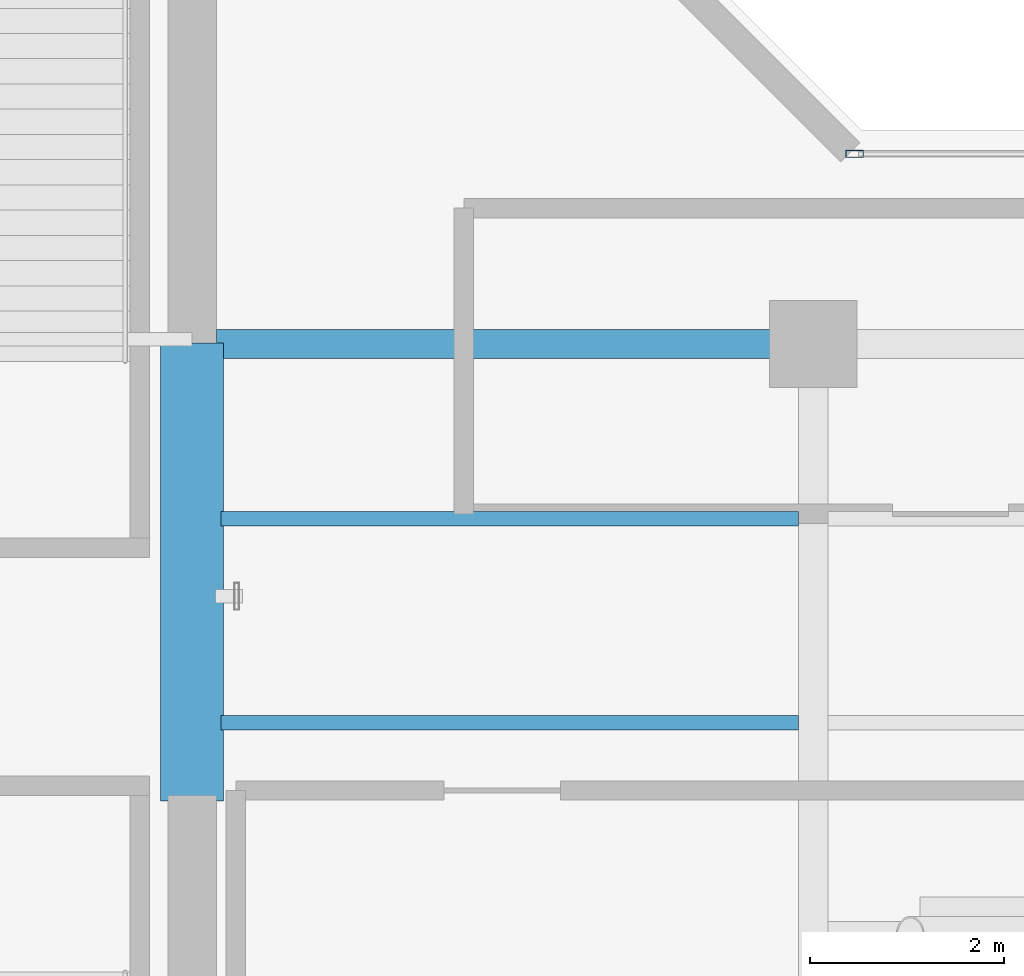
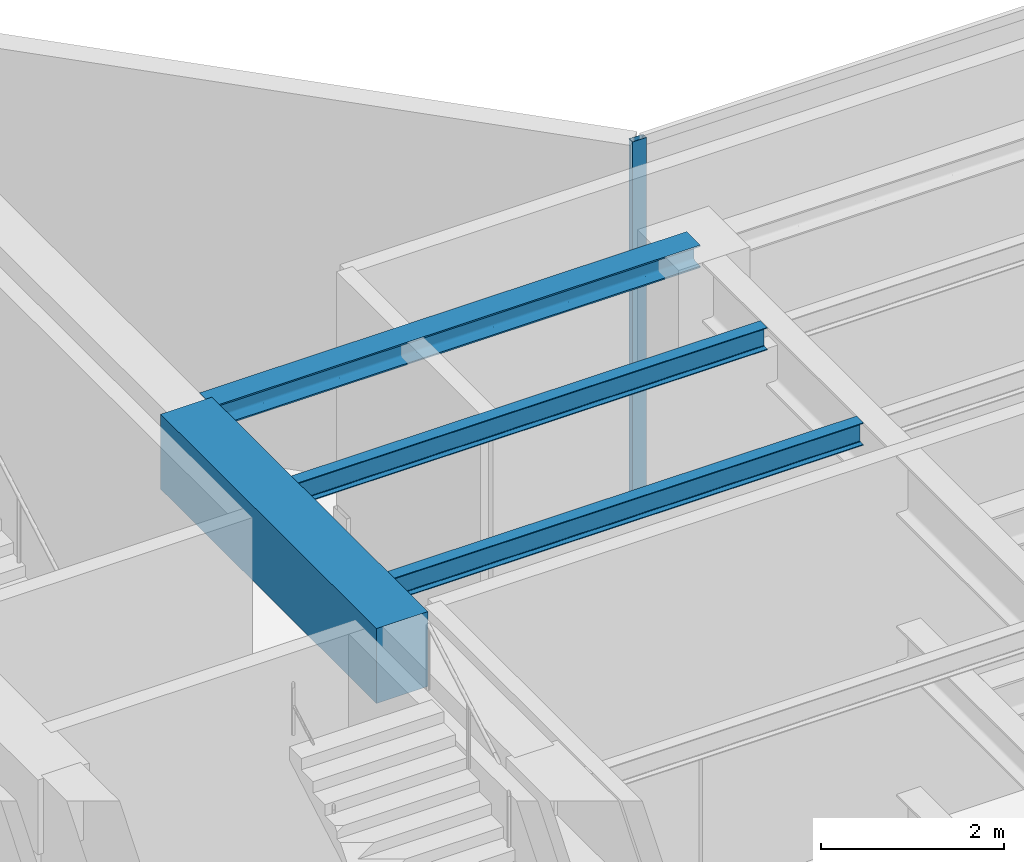
# One storey, part 8 of 29: 4 beams, 1 member, 1 element without a shape of its own.
"""IFC4 building model written with IfcOpenShell, lengths in metres."""

from ifc_helpers import new_model, si_unit, direction, frame, origin, origin_with_axes, origin_2d, place, context, subcontext, project, spatial, rectangle, hollow_rectangle, i_section, extrude, source, transform, mapped, material, layer, layer_set, material_profile, profile_set, type_object, element, aggregate, save


model = new_model("IFC4")

# Units and contexts
model_context = context("Model", 3, precision=1e-05, world=origin(), true_north=direction((0.0, 1.0)))
body_context = subcontext(model_context, "Body", "Model", "MODEL_VIEW")
ifc_project = project(units=[si_unit("LENGTHUNIT", "METRE"), si_unit("AREAUNIT", "SQUARE_METRE"), si_unit("VOLUMEUNIT", "CUBIC_METRE"), si_unit("PLANEANGLEUNIT", "RADIAN"), si_unit("MASSUNIT", "GRAM", prefix="KILO")], contexts=[model_context])

# Site, building, storey
site_placement = place(None, origin())
site = spatial("IfcSite", under=ifc_project, at=site_placement, CompositionType="ELEMENT")
building_placement = place(site_placement, origin())
building = spatial("IfcBuilding", under=site, at=building_placement, Name="Kolvaren Waterfront Exchange", CompositionType="ELEMENT")
storey_placement = place(building_placement, frame((0.0, 0.0, 338.800048828125)))
storey = spatial("IfcBuildingStorey", under=building, at=storey_placement, Name="L87", CompositionType="ELEMENT", Elevation=338.800048828125)

# Beams
ifc_material_1 = material(Name="Steel S355", Category="steel")
ifc_material_profile_1 = material_profile(ifc_material_1, i_section(OverallWidth=0.300048828125, OverallDepth=0.300048828125, WebThickness=0.010986328125, FlangeThickness=0.01904296875, FilletRadius=0.027099609375, at=origin_2d()), Name="HEB300")
ifc_profile_set_1 = profile_set([ifc_material_profile_1], Name="Steel S355")
beam_type_1 = type_object("IfcBeamType", Name="STR-BM-HEB300", PredefinedType="SPANDREL", material=ifc_profile_set_1)
beam_1_placement = place(storey_placement, frame((21.050048828125, 17.39990234375, 4.869873046875), z_axis=(1.0, 0.0, 0.0), x_axis=(0.0, 1.0, 0.0)))
element("IfcBeam", 1, at=beam_1_placement, inside=storey, type_object=beam_type_1, Name="L87 east-arm spandrel N1", PredefinedType="SPANDREL", context=body_context, shape_type="SweptSolid", body=[
    extrude(i_section(OverallWidth=0.300048828125, OverallDepth=0.300048828125, WebThickness=0.010986328125, FlangeThickness=0.01904296875, FilletRadius=0.027099609375, at=origin_2d()), origin(), (0.0, 0.0, 1.0), 6.14990234375),
])
ifc_material_profile_2 = material_profile(ifc_material_1, i_section(OverallWidth=0.14990234375, OverallDepth=0.300048828125, WebThickness=0.007080078125, FlangeThickness=0.0107421875, FilletRadius=0.014892578125, at=origin_2d()), Name="IPE300")
ifc_profile_set_2 = profile_set([ifc_material_profile_2], Name="Steel S355")
beam_type_2 = type_object("IfcBeamType", Name="STR-BM-IPE300", PredefinedType="JOIST", material=ifc_profile_set_2)
for number, where, z_axis, x_axis, name in (
    (2, (21.10009765625, 13.5, 4.869873046875), (1.0, 0.0, 0.0), (0.0, 1.0, 0.0), "L87 east-arm composite joist 1A"),
    (3, (21.10009765625, 15.60009765625, 4.869873046875), (1.0, 0.0, 0.0), (0.0, 1.0, 0.0), "L87 east-arm composite joist 1C"),
):
    element("IfcBeam", number, at=place(storey_placement, frame(where, z_axis=z_axis, x_axis=x_axis)), inside=storey, type_object=beam_type_2, Name=name, PredefinedType="JOIST", context=body_context, shape_type="SweptSolid", body=[
        extrude(i_section(OverallWidth=0.14990234375, OverallDepth=0.300048828125, WebThickness=0.007080078125, FlangeThickness=0.0107421875, FilletRadius=0.014892578125, at=origin_2d()), origin(), (0.0, 0.0, 1.0), 5.947998046875),
    ])
ifc_material_2 = material(Name="Concrete C60/75", Category="concrete")
ifc_material_profile_3 = material_profile(ifc_material_2, rectangle(XDim=0.64990234375, YDim=1.0, at=origin_2d()), Name="RC-CB-1000x650")
ifc_profile_set_3 = profile_set([ifc_material_profile_3], Name="Concrete C60/75")
beam_type_3 = type_object("IfcBeamType", Name="STR-CB-1000", PredefinedType="SPANDREL", material=ifc_profile_set_3)
beam_2_placement = place(storey_placement, frame((20.800048828125, 12.68994140625, 4.52001953125), z_axis=(0.0, 1.0, 0.0), x_axis=(-1.0, 0.0, 0.0)))
element("IfcBeam", 4, at=beam_2_placement, inside=storey, type_object=beam_type_3, Name="L87 core coupling beam 2", PredefinedType="SPANDREL", context=body_context, shape_type="SweptSolid", body=[
    extrude(rectangle(XDim=0.64990234375, YDim=1.0, at=origin_2d()), origin(), (0.0, 0.0, 1.0), 4.719970703125),
])

# Curtain wall, member
ifc_material_3 = material(Name="Anodised dark bronze spandrel aluminium", Category="aluminium")
ifc_layer = layer(ifc_material_3, 0.219970703125, Name="Anodised dark bronze spandrel aluminium")
ifc_layer_set = layer_set([ifc_layer], Name="Anodised dark bronze spandrel aluminium")
curtain_wall_type = type_object("IfcCurtainWallType", Name="ARC-CW-SYS6", PredefinedType="USERDEFINED", material=ifc_layer_set)
curtain_wall_placement = place(storey_placement, origin())
curtain_wall = element("IfcCurtainWall", 5, at=curtain_wall_placement, inside=storey, type_object=curtain_wall_type, Name="L87 stick curtain wall CW6 (CW-L87-EN)", ObjectType="STICK CURTAIN WALL", PredefinedType="USERDEFINED")
ifc_material_4 = material(Name="Anodised bronze aluminium 6063-T6", Category="aluminium")
ifc_material_profile_4 = material_profile(ifc_material_4, hollow_rectangle(XDim=0.074951171875, YDim=0.179931640625, WallThickness=0.00439453125, at=origin_2d()), Name="ALU-MUL-180x75x4.5")
ifc_profile_set_4 = profile_set([ifc_material_profile_4], Name="Anodised bronze aluminium 6063-T6")
member_type = type_object("IfcMemberType", Name="ARC-CWM-180", PredefinedType="MULLION", material=ifc_profile_set_4)
shared_shape = source(origin_with_axes(), body_context, "Body", "SweptSolid", [
    extrude(hollow_rectangle(XDim=0.074951171875, YDim=0.179931640625, WallThickness=0.00439453125, at=origin_2d()), origin(), (0.0, 0.0, 1.0), 5.02001953125),
])
member_placement = place(storey_placement, frame((27.62744140625, 19.360107421875, 0.0), z_axis=(0.0, 0.0, 1.0), x_axis=(0.0, 1.0, 0.0)))
member = element("IfcMember", 6, at=member_placement, type_object=member_type, Name="CW6 mullion 1", PredefinedType="MULLION", context=body_context, shape_type="MappedRepresentation", body=[
    mapped(shared_shape, transform((0.0, 0.0, 0.0), x_axis=(1.0, 0.0, 0.0), y_axis=(0.0, 1.0, 0.0), z_axis=(0.0, 0.0, 1.0), scale=1.0)),
])
aggregate(curtain_wall, [member])

save(model, "model.ifc")
